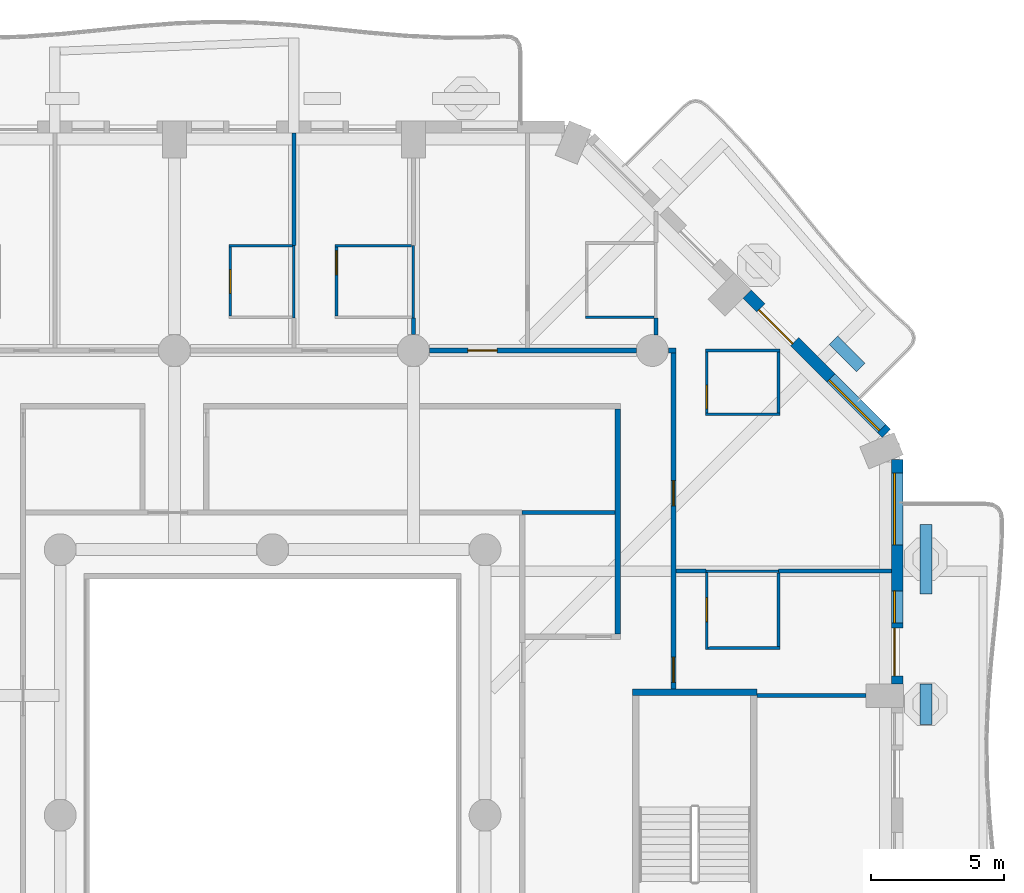
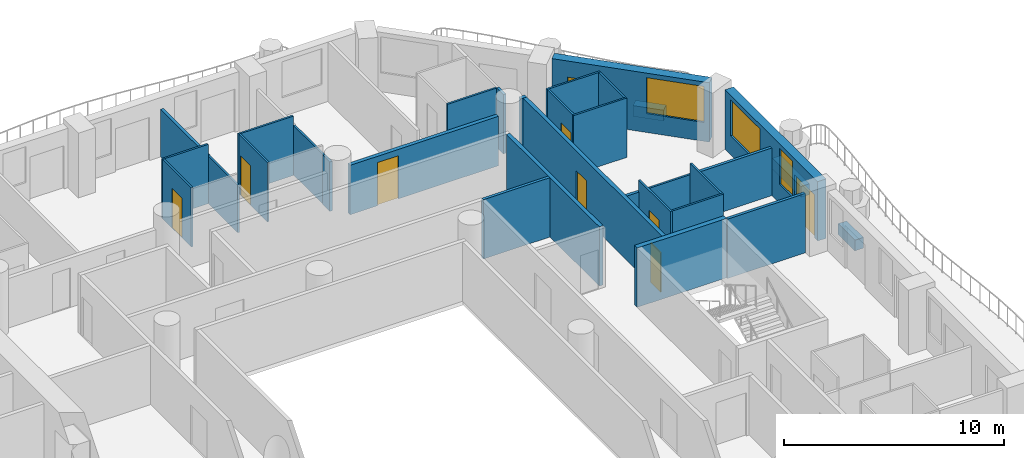
# One storey, part 9 of 20: 32 walls, 9 doors, 3 windows, 12 openings.
"""IFC4 building model written with IfcOpenShell, lengths in metres."""

from ifc_helpers import new_model, si_unit, direction, frame, frame_2d, origin, place, context, subcontext, project, spatial, rectangle, extrude, material, layer, layer_set, type_object, element, fill, save


model = new_model("IFC4")

# Units and contexts
model_context = context("Model", 3, precision=1e-05, world=origin(), true_north=direction((0.0, 1.0)))
body_context = subcontext(model_context, "Body", "Model", "MODEL_VIEW")
ifc_project = project(units=[si_unit("LENGTHUNIT", "METRE"), si_unit("AREAUNIT", "SQUARE_METRE"), si_unit("VOLUMEUNIT", "CUBIC_METRE"), si_unit("PLANEANGLEUNIT", "RADIAN"), si_unit("MASSUNIT", "GRAM", prefix="KILO")], contexts=[model_context])

# Site, building, storey
site_placement = place(None, origin())
site = spatial("IfcSite", under=ifc_project, at=site_placement, CompositionType="ELEMENT")
building_placement = place(site_placement, origin())
building = spatial("IfcBuilding", under=site, at=building_placement, Name="Cypress Arch Tower", CompositionType="ELEMENT")
storey_placement = place(building_placement, frame((0.0, 0.0, 62.699951171875)))
storey = spatial("IfcBuildingStorey", under=building, at=storey_placement, Name="L09", CompositionType="ELEMENT", Elevation=62.699951171875)

# Walls
ifc_material_1 = material(Name="Concrete C40/50, waterproofed", Category="concrete")
ifc_layer_1 = layer(ifc_material_1, 0.449951171875)
ifc_layer_set_1 = layer_set([ifc_layer_1], Name="Balcony planter wall PW450")
wall_type_1 = type_object("IfcWallType", Name="Balcony planter wall PW450", PredefinedType="SOLIDWALL", material=ifc_layer_set_1)
wall_1_placement = place(storey_placement, frame((25.60009765625, 3.42138671875, 0.0), z_axis=(0.0, 0.0, 1.0), x_axis=(0.0, 1.0, 0.0)))
element("IfcWall", 1, at=wall_1_placement, inside=storey, type_object=wall_type_1, Name="Balcony planter wall L09-A06.2", PredefinedType="SOLIDWALL", context=body_context, shape_type="SweptSolid", body=[
    extrude(rectangle(XDim=1.5224609375, YDim=0.449951171875, at=frame_2d((0.76123046875, 0.0))), origin(), (0.0, 0.0, 1.0), 0.60009765625),
])
wall_2_placement = place(storey_placement, frame((25.60009765625, 8.335693359375, 0.0), z_axis=(0.0, 0.0, 1.0), x_axis=(0.0, 1.0, 0.0)))
element("IfcWall", 2, at=wall_2_placement, inside=storey, type_object=wall_type_1, Name="Balcony planter wall L09-A06.3", PredefinedType="SOLIDWALL", context=body_context, shape_type="SweptSolid", body=[
    extrude(rectangle(XDim=2.6142578125, YDim=0.449951171875, at=frame_2d((1.30712890625, 0.0))), origin(), (0.0, 0.0, 1.0), 0.60009765625),
])
wall_3_placement = place(storey_placement, frame((23.150390625, 16.86376953125, 0.0), z_axis=(0.0, 0.0, 1.0), x_axis=(-0.707106781187, 0.707106781187, 0.0)))
element("IfcWall", 3, at=wall_3_placement, inside=storey, type_object=wall_type_1, Name="Balcony planter wall L09-A07.1", PredefinedType="SOLIDWALL", context=body_context, shape_type="SweptSolid", body=[
    extrude(rectangle(XDim=1.44482421875, YDim=0.449951171875, at=frame_2d((0.722412109375, 0.0))), origin(), (0.0, 0.0, 1.0), 0.60009765625),
])

# Wall, openings, door, windows
ifc_material_2 = material(Name="Brick (red buff blend)", Category="masonry")
ifc_layer_2 = layer(ifc_material_2, 0.449951171875)
ifc_layer_set_2 = layer_set([ifc_layer_2], Name="Brick pier and spandrel wall BW450")
wall_type_2 = type_object("IfcWallType", Name="Brick pier and spandrel wall BW450", PredefinedType="SOLIDWALL", material=ifc_layer_set_2)
wall_4_placement = place(storey_placement, frame((24.52490234375, 4.949951171875, 0.0), z_axis=(0.0, 0.0, 1.0), x_axis=(0.0, 1.0, 0.0)))
wall_4 = element("IfcWall", 4, at=wall_4_placement, inside=storey, type_object=wall_type_2, Name="Brick wall L09 A06.3", PredefinedType="SOLIDWALL", context=body_context, shape_type="SweptSolid", body=[
    extrude(rectangle(XDim=8.438720703125, YDim=0.449951171875, at=frame_2d((4.21923828125, 0.0))), origin(), (0.0, 0.0, 1.0), 3.300048828125),
])
opening_1_placement = place(wall_4_placement, frame((0.2939453125, 0.0, 0.0)))
opening_1 = element("IfcOpeningElement", 5, at=opening_1_placement, cuts=wall_4, Name="Opening D-L09-A06.3.1", PredefinedType="OPENING", context=body_context, shape_type="SweptSolid", body=[
    extrude(rectangle(XDim=1.800048828125, YDim=2.39990234375, at=frame_2d((0.89990234375, 1.199951171875))), frame((0.0, 0.23486328125, 0.0), z_axis=(0.0, -1.0, 0.0), x_axis=(1.0, 0.0, 0.0)), (0.0, 0.0, 1.0), 0.469970703125),
])
opening_2_placement = place(wall_4_placement, frame((2.2939453125, 0.0, 1.050048828125)))
opening_2 = element("IfcOpeningElement", 6, at=opening_2_placement, cuts=wall_4, Name="Opening W120HD", PredefinedType="OPENING", context=body_context, shape_type="SweptSolid", body=[
    extrude(rectangle(XDim=1.199951171875, YDim=2.0, at=frame_2d((0.60009765625, 1.0))), frame((0.0, 0.23486328125, 0.0), z_axis=(0.0, -1.0, 0.0), x_axis=(1.0, 0.0, 0.0)), (0.0, 0.0, 1.0), 0.469970703125),
])
opening_3_placement = place(wall_4_placement, frame((5.231689453125, 0.0, 1.050048828125)))
opening_3 = element("IfcOpeningElement", 7, at=opening_3_placement, cuts=wall_4, Name="Opening W270HD", PredefinedType="OPENING", context=body_context, shape_type="SweptSolid", body=[
    extrude(rectangle(XDim=2.699951171875, YDim=2.0, at=frame_2d((1.35009765625, 1.0))), frame((0.0, 0.23486328125, 0.0), z_axis=(0.0, -1.0, 0.0), x_axis=(1.0, 0.0, 0.0)), (0.0, 0.0, 1.0), 0.469970703125),
])
ifc_material_3 = material(Name="Anodised aluminium, bronze finish, laminated low-emissivity double glazing, large-missile impact rated", Category="aluminium")
door_type_1 = type_object("IfcDoorType", Name="Balcony sliding door 1800x2400", OperationType="SLIDING_TO_LEFT", PredefinedType="DOOR", material=ifc_material_3)
door_1_placement = place(opening_1_placement, origin())
door_1 = element("IfcDoor", 8, at=door_1_placement, inside=storey, type_object=door_type_1, Name="Balcony door L09 A06.3.1", OperationType="SLIDING_TO_LEFT", OverallHeight=2.39990234375, OverallWidth=1.800048828125, PredefinedType="DOOR", context=body_context, shape_type="SweptSolid", body=[
    extrude(rectangle(XDim=1.800048828125, YDim=2.39990234375, at=frame_2d((0.89990234375, 1.199951171875))), frame((0.0, 0.1298828125, 0.0), z_axis=(0.0, -1.0, 0.0), x_axis=(1.0, 0.0, 0.0)), (0.0, 0.0, 1.0), 0.050048828125),
])
fill(opening_1, door_1)
ifc_material_4 = material(Name="Anodised aluminium, bronze finish, laminated low-emissivity double glazing, large-missile impact rated", Category="aluminium")
window_type_1 = type_object("IfcWindowType", Name="Window Hotel 1200x2000 debris-rated", PartitioningType="SINGLE_PANEL", PredefinedType="WINDOW", material=ifc_material_4)
window_1_placement = place(opening_2_placement, origin())
window_1 = element("IfcWindow", 9, at=window_1_placement, inside=storey, type_object=window_type_1, Name="Window L09 A06.3.1", OverallHeight=2.0, OverallWidth=1.199951171875, PartitioningType="SINGLE_PANEL", PredefinedType="WINDOW", context=body_context, shape_type="SweptSolid", body=[
    extrude(rectangle(XDim=1.199951171875, YDim=2.0, at=frame_2d((0.60009765625, 1.0))), frame((0.0, 0.135009765625, 0.0), z_axis=(0.0, -1.0, 0.0), x_axis=(1.0, 0.0, 0.0)), (0.0, 0.0, 1.0), 0.06005859375),
])
fill(opening_2, window_1)
ifc_material_5 = material(Name="Anodised aluminium, bronze finish, laminated low-emissivity double glazing, large-missile impact rated", Category="aluminium")
window_type_2 = type_object("IfcWindowType", Name="Window Hotel 2700x2000 debris-rated", PartitioningType="SINGLE_PANEL", PredefinedType="WINDOW", material=ifc_material_5)
window_2_placement = place(opening_3_placement, origin())
window_2 = element("IfcWindow", 10, at=window_2_placement, inside=storey, type_object=window_type_2, Name="Window L09 A06.3.2", OverallHeight=2.0, OverallWidth=2.699951171875, PartitioningType="SINGLE_PANEL", PredefinedType="WINDOW", context=body_context, shape_type="SweptSolid", body=[
    extrude(rectangle(XDim=2.699951171875, YDim=2.0, at=frame_2d((1.35009765625, 1.0))), frame((0.0, 0.135009765625, 0.0), z_axis=(0.0, -1.0, 0.0), x_axis=(1.0, 0.0, 0.0)), (0.0, 0.0, 1.0), 0.06005859375),
])
fill(opening_3, window_2)

# Wall, openings, door, window
wall_5_placement = place(storey_placement, frame((24.11474609375, 14.379150390625, 0.0), z_axis=(0.0, 0.0, 1.0), x_axis=(-0.707106781187, 0.707106781187, 0.0)))
wall_5 = element("IfcWall", 11, at=wall_5_placement, inside=storey, type_object=wall_type_2, Name="Brick wall L09 A07.0", PredefinedType="SOLIDWALL", context=body_context, shape_type="SweptSolid", body=[
    extrude(rectangle(XDim=7.423828125, YDim=0.449951171875, at=frame_2d((3.7119140625, 0.0))), origin(), (0.0, 0.0, 1.0), 3.300048828125),
])
opening_4_placement = place(wall_5_placement, frame((0.253173828125, 0.0, 1.050048828125)))
opening_4 = element("IfcOpeningElement", 12, at=opening_4_placement, cuts=wall_5, Name="Opening W270HD", PredefinedType="OPENING", context=body_context, shape_type="SweptSolid", body=[
    extrude(rectangle(XDim=2.699951171875, YDim=2.0, at=frame_2d((1.35009765625, 1.0))), frame((0.0, 0.23486328125, 0.0), z_axis=(0.0, -1.0, 0.0), x_axis=(1.0, 0.0, 0.0)), (0.0, 0.0, 1.0), 0.469970703125),
])
opening_5_placement = place(wall_5_placement, frame((4.8837890625, 0.0, 0.0)))
opening_5 = element("IfcOpeningElement", 13, at=opening_5_placement, cuts=wall_5, Name="Opening D-L09-A07.0.2", PredefinedType="OPENING", context=body_context, shape_type="SweptSolid", body=[
    extrude(rectangle(XDim=1.800048828125, YDim=2.39990234375, at=frame_2d((0.89990234375, 1.199951171875))), frame((0.0, 0.23486328125, 0.0), z_axis=(0.0, -1.0, 0.0), x_axis=(1.0, 0.0, 0.0)), (0.0, 0.0, 1.0), 0.469970703125),
])
door_2_placement = place(opening_5_placement, origin())
door_2 = element("IfcDoor", 14, at=door_2_placement, inside=storey, type_object=door_type_1, Name="Balcony door L09 A07.0.2", OperationType="SLIDING_TO_LEFT", OverallHeight=2.39990234375, OverallWidth=1.800048828125, PredefinedType="DOOR", context=body_context, shape_type="SweptSolid", body=[
    extrude(rectangle(XDim=1.800048828125, YDim=2.39990234375, at=frame_2d((0.89990234375, 1.199951171875))), frame((0.0, 0.1298828125, 0.0), z_axis=(0.0, -1.0, 0.0), x_axis=(1.0, 0.0, 0.0)), (0.0, 0.0, 1.0), 0.050048828125),
])
fill(opening_5, door_2)
window_3_placement = place(opening_4_placement, origin())
window_3 = element("IfcWindow", 15, at=window_3_placement, inside=storey, type_object=window_type_2, Name="Window L09 A07.0.1", OverallHeight=2.0, OverallWidth=2.699951171875, PartitioningType="SINGLE_PANEL", PredefinedType="WINDOW", context=body_context, shape_type="SweptSolid", body=[
    extrude(rectangle(XDim=2.699951171875, YDim=2.0, at=frame_2d((1.35009765625, 1.0))), frame((0.0, 0.135009765625, 0.0), z_axis=(0.0, -1.0, 0.0), x_axis=(1.0, 0.0, 0.0)), (0.0, 0.0, 1.0), 0.06005859375),
])
fill(opening_4, window_3)

# Wall, opening, door
ifc_material_6 = material(Name="Concrete blockwork, plastered, rated", Category="masonry")
ifc_layer_3 = layer(ifc_material_6, 0.199951171875)
ifc_layer_set_3 = layer_set([ifc_layer_3], Name="Corridor wall FW200")
wall_type_3 = type_object("IfcWallType", Name="Corridor wall FW200", PredefinedType="PARTITIONING", material=ifc_layer_set_3)
wall_6_placement = place(storey_placement, frame((6.89990234375, 17.5, 0.0), z_axis=(0.0, 0.0, 1.0), x_axis=(1.0, 0.0, 0.0)))
wall_6 = element("IfcWall", 16, at=wall_6_placement, inside=storey, type_object=wall_type_3, Name="Corridor wall", PredefinedType="PARTITIONING", context=body_context, shape_type="SweptSolid", body=[
    extrude(rectangle(XDim=7.800048828125, YDim=0.199951171875, at=frame_2d((3.89990234375, 0.0))), origin(), (0.0, 0.0, 1.0), 2.75),
])
opening_6_placement = place(wall_6_placement, frame((1.449951171875, 0.0, 0.0)))
opening_6 = element("IfcOpeningElement", 17, at=opening_6_placement, cuts=wall_6, Name="Opening D01", PredefinedType="OPENING", context=body_context, shape_type="SweptSolid", body=[
    extrude(rectangle(XDim=1.10009765625, YDim=2.39990234375, at=frame_2d((0.550048828125, 1.199951171875))), frame((0.0, 0.10986328125, 0.0), z_axis=(0.0, -1.0, 0.0), x_axis=(1.0, 0.0, 0.0)), (0.0, 0.0, 1.0), 0.219970703125),
])
ifc_material_7 = material(Name="Timber flush door, fire resisting, self-closing", Category="wood")
door_type_2 = type_object("IfcDoorType", Name="Unit entrance door D01 1100x2400", OperationType="SINGLE_SWING_LEFT", PredefinedType="DOOR", material=ifc_material_7)
door_3_placement = place(opening_6_placement, origin())
door_3 = element("IfcDoor", 18, at=door_3_placement, inside=storey, type_object=door_type_2, Name="Unit entrance door", OperationType="SINGLE_SWING_RIGHT", OverallHeight=2.39990234375, OverallWidth=1.10009765625, PredefinedType="DOOR", context=body_context, shape_type="SweptSolid", body=[
    extrude(rectangle(XDim=1.10009765625, YDim=2.39990234375, at=frame_2d((0.550048828125, 1.199951171875))), frame((0.0, 0.02490234375, 0.0), z_axis=(0.0, -1.0, 0.0), x_axis=(1.0, 0.0, 0.0)), (0.0, 0.0, 1.0), 0.050048828125),
])
fill(opening_6, door_3)

# Walls
wall_7_placement = place(storey_placement, frame((15.89990234375, 17.5, 0.0), z_axis=(0.0, 0.0, 1.0), x_axis=(1.0, 0.0, 0.0)))
element("IfcWall", 19, at=wall_7_placement, inside=storey, type_object=wall_type_3, Name="Corridor wall", PredefinedType="PARTITIONING", context=body_context, shape_type="SweptSolid", body=[
    extrude(rectangle(XDim=0.300048828125, YDim=0.199951171875, at=frame_2d((0.14990234375, 0.0))), origin(), (0.0, 0.0, 1.0), 3.300048828125),
])
wall_8_placement = place(storey_placement, frame((14.0, 6.824951171875, 0.0), z_axis=(0.0, 0.0, 1.0), x_axis=(0.0, 1.0, 0.0)))
element("IfcWall", 20, at=wall_8_placement, inside=storey, type_object=wall_type_3, Name="Corridor wall", PredefinedType="PARTITIONING", context=body_context, shape_type="SweptSolid", body=[
    extrude(rectangle(XDim=8.47509765625, YDim=0.199951171875, at=frame_2d((4.237548828125, 0.0))), origin(), (0.0, 0.0, 1.0), 3.300048828125),
])

# Wall, openings, doors
wall_9_placement = place(storey_placement, frame((16.10009765625, 4.75, 0.0), z_axis=(0.0, 0.0, 1.0), x_axis=(0.0, 1.0, 0.0)))
wall_9 = element("IfcWall", 21, at=wall_9_placement, inside=storey, type_object=wall_type_3, Name="Corridor wall", PredefinedType="PARTITIONING", context=body_context, shape_type="SweptSolid", body=[
    extrude(rectangle(XDim=12.64990234375, YDim=0.199951171875, at=frame_2d((6.324951171875, 0.0))), origin(), (0.0, 0.0, 1.0), 3.300048828125),
])
opening_7_placement = place(wall_9_placement, frame((0.25, 0.0, 0.0)))
opening_7 = element("IfcOpeningElement", 22, at=opening_7_placement, cuts=wall_9, Name="Opening D02", PredefinedType="OPENING", context=body_context, shape_type="SweptSolid", body=[
    extrude(rectangle(XDim=0.949951171875, YDim=2.199951171875, at=frame_2d((0.47509765625, 1.10009765625))), frame((0.0, 0.10986328125, 0.0), z_axis=(0.0, -1.0, 0.0), x_axis=(1.0, 0.0, 0.0)), (0.0, 0.0, 1.0), 0.219970703125),
])
opening_8_placement = place(wall_9_placement, frame((6.89990234375, 0.0, 0.0)))
opening_8 = element("IfcOpeningElement", 23, at=opening_8_placement, cuts=wall_9, Name="Opening D02", PredefinedType="OPENING", context=body_context, shape_type="SweptSolid", body=[
    extrude(rectangle(XDim=0.949951171875, YDim=2.199951171875, at=frame_2d((0.47509765625, 1.10009765625))), frame((0.0, 0.10986328125, 0.0), z_axis=(0.0, -1.0, 0.0), x_axis=(1.0, 0.0, 0.0)), (0.0, 0.0, 1.0), 0.219970703125),
])
ifc_material_8 = material(Name="Timber flush door, fire resisting", Category="wood")
door_type_3 = type_object("IfcDoorType", Name="Room door D02 950x2200", OperationType="SINGLE_SWING_LEFT", PredefinedType="DOOR", material=ifc_material_8)
door_4_placement = place(opening_7_placement, origin())
door_4 = element("IfcDoor", 24, at=door_4_placement, inside=storey, type_object=door_type_3, Name="Room door", OperationType="SINGLE_SWING_RIGHT", OverallHeight=2.199951171875, OverallWidth=0.949951171875, PredefinedType="DOOR", context=body_context, shape_type="SweptSolid", body=[
    extrude(rectangle(XDim=0.949951171875, YDim=2.199951171875, at=frame_2d((0.47509765625, 1.10009765625))), frame((0.0, 0.02490234375, 0.0), z_axis=(0.0, -1.0, 0.0), x_axis=(1.0, 0.0, 0.0)), (0.0, 0.0, 1.0), 0.050048828125),
])
fill(opening_7, door_4)
door_5_placement = place(opening_8_placement, origin())
door_5 = element("IfcDoor", 25, at=door_5_placement, inside=storey, type_object=door_type_3, Name="Room door", OperationType="SINGLE_SWING_RIGHT", OverallHeight=2.199951171875, OverallWidth=0.949951171875, PredefinedType="DOOR", context=body_context, shape_type="SweptSolid", body=[
    extrude(rectangle(XDim=0.949951171875, YDim=2.199951171875, at=frame_2d((0.47509765625, 1.10009765625))), frame((0.0, 0.02490234375, 0.0), z_axis=(0.0, -1.0, 0.0), x_axis=(1.0, 0.0, 0.0)), (0.0, 0.0, 1.0), 0.050048828125),
])
fill(opening_8, door_5)

# Walls
ifc_material_9 = material(Name="Blockwork, plastered both sides", Category="masonry")
ifc_layer_4 = layer(ifc_material_9, 0.14990234375)
ifc_layer_set_4 = layer_set([ifc_layer_4], Name="Partition PW150")
wall_type_4 = type_object("IfcWallType", Name="Partition PW150", PredefinedType="PARTITIONING", material=ifc_layer_set_4)
wall_10_placement = place(storey_placement, frame((1.800048828125, 21.449951171875, 0.0), z_axis=(0.0, 0.0, 1.0), x_axis=(0.0, 1.0, 0.0)))
element("IfcWall", 26, at=wall_10_placement, inside=storey, type_object=wall_type_4, Name="Partition", PredefinedType="PARTITIONING", context=body_context, shape_type="SweptSolid", body=[
    extrude(rectangle(XDim=4.25, YDim=0.14990234375, at=frame_2d((2.125, 0.0))), origin(), (0.0, 0.0, 1.0), 2.650146484375),
])
wall_11_placement = place(storey_placement, frame((6.300048828125, 18.10009765625, 0.0), z_axis=(0.0, 0.0, 1.0), x_axis=(0.0, 1.0, 0.0)))
element("IfcWall", 27, at=wall_11_placement, inside=storey, type_object=wall_type_4, Name="Partition", PredefinedType="PARTITIONING", context=body_context, shape_type="SweptSolid", body=[
    extrude(rectangle(XDim=0.6298828125, YDim=0.14990234375, at=frame_2d((0.31494140625, 0.0))), origin(), (0.0, 0.0, 1.0), 2.75),
])
wall_12_placement = place(storey_placement, frame((10.39990234375, 11.39990234375, 0.0), z_axis=(0.0, 0.0, 1.0), x_axis=(1.0, 0.0, 0.0)))
element("IfcWall", 28, at=wall_12_placement, inside=storey, type_object=wall_type_4, Name="Partition", PredefinedType="PARTITIONING", context=body_context, shape_type="SweptSolid", body=[
    extrude(rectangle(XDim=3.5, YDim=0.14990234375, at=frame_2d((1.75, 0.0))), origin(), (0.0, 0.0, 1.0), 3.300048828125),
])
wall_13_placement = place(storey_placement, frame((15.431884765625, 18.093994140625, 0.0), z_axis=(0.0, 0.0, 1.0), x_axis=(0.0, 1.0, 0.0)))
element("IfcWall", 29, at=wall_13_placement, inside=storey, type_object=wall_type_4, Name="Partition", PredefinedType="PARTITIONING", context=body_context, shape_type="SweptSolid", body=[
    extrude(rectangle(XDim=0.635986328125, YDim=0.14990234375, at=frame_2d((0.31787109375, 0.0))), origin(), (0.0, 0.0, 1.0), 3.300048828125),
])
wall_14_placement = place(storey_placement, frame((16.199951171875, 9.18994140625, 0.0), z_axis=(0.0, 0.0, 1.0), x_axis=(1.0, 0.0, 0.0)))
element("IfcWall", 30, at=wall_14_placement, inside=storey, type_object=wall_type_4, Name="Partition", PredefinedType="PARTITIONING", context=body_context, shape_type="SweptSolid", body=[
    extrude(rectangle(XDim=1.130126953125, YDim=0.14990234375, at=frame_2d((0.56494140625, 0.0))), origin(), (0.0, 0.0, 1.0), 2.650146484375),
])
wall_15_placement = place(storey_placement, frame((19.25, 4.5, 0.0), z_axis=(0.0, 0.0, 1.0), x_axis=(1.0, 0.0, 0.0)))
element("IfcWall", 31, at=wall_15_placement, inside=storey, type_object=wall_type_4, Name="Partition", PredefinedType="PARTITIONING", context=body_context, shape_type="SweptSolid", body=[
    extrude(rectangle(XDim=4.10009765625, YDim=0.14990234375, at=frame_2d((2.050048828125, 0.0))), origin(), (0.0, 0.0, 1.0), 3.300048828125),
])
wall_16_placement = place(storey_placement, frame((20.050048828125, 9.18994140625, 0.0), z_axis=(0.0, 0.0, 1.0), x_axis=(1.0, 0.0, 0.0)))
element("IfcWall", 32, at=wall_16_placement, inside=storey, type_object=wall_type_4, Name="Partition", PredefinedType="PARTITIONING", context=body_context, shape_type="SweptSolid", body=[
    extrude(rectangle(XDim=4.25, YDim=0.14990234375, at=frame_2d((2.125, 0.0))), origin(), (0.0, 0.0, 1.0), 2.650146484375),
])
ifc_material_10 = material(Name="Concrete C50/60", Category="concrete")
ifc_layer_5 = layer(ifc_material_10, 0.25)
ifc_layer_set_5 = layer_set([ifc_layer_5], Name="Stair enclosure wall SW250")
wall_type_5 = type_object("IfcWallType", Name="Stair enclosure wall SW250", PredefinedType="SHEAR", material=ifc_layer_set_5)
wall_17_placement = place(storey_placement, frame((14.550048828125, 4.625, 0.0), z_axis=(0.0, 0.0, 1.0), x_axis=(1.0, 0.0, 0.0)))
element("IfcWall", 33, at=wall_17_placement, inside=storey, type_object=wall_type_5, Name="Stair enclosure wall", PredefinedType="SHEAR", context=body_context, shape_type="SweptSolid", body=[
    extrude(rectangle(XDim=4.699951171875, YDim=0.25, at=frame_2d((2.35009765625, 0.0))), origin(), (0.0, 0.0, 1.0), 3.300048828125),
])

# Wall, opening, door
ifc_material_11 = material(Name="Moisture resistant board on steel studs, tiled", Category="steel")
ifc_layer_6 = layer(ifc_material_11, 0.10009765625)
ifc_layer_set_6 = layer_set([ifc_layer_6], Name="Wet wall PW100")
wall_type_6 = type_object("IfcWallType", Name="Wet wall PW100", PredefinedType="PARTITIONING", material=ifc_layer_set_6)
wall_18_placement = place(storey_placement, frame((-0.595947265625, 18.800048828125, 0.0), z_axis=(0.0, 0.0, 1.0), x_axis=(0.0, 1.0, 0.0)))
wall_18 = element("IfcWall", 34, at=wall_18_placement, inside=storey, type_object=wall_type_6, Name="Wet wall", PredefinedType="PARTITIONING", context=body_context, shape_type="SweptSolid", body=[
    extrude(rectangle(XDim=2.599853515625, YDim=0.10009765625, at=frame_2d((1.2998046875, 0.0))), origin(), (0.0, 0.0, 1.0), 3.300048828125),
])
opening_9_placement = place(wall_18_placement, frame((0.85009765625, 0.0, 0.0)))
opening_9 = element("IfcOpeningElement", 35, at=opening_9_placement, cuts=wall_18, Name="Opening D03", PredefinedType="OPENING", context=body_context, shape_type="SweptSolid", body=[
    extrude(rectangle(XDim=0.89990234375, YDim=2.199951171875, at=frame_2d((0.449951171875, 1.10009765625))), frame((0.0, 0.06005859375, 0.0), z_axis=(0.0, -1.0, 0.0), x_axis=(1.0, 0.0, 0.0)), (0.0, 0.0, 1.0), 0.1201171875),
])
ifc_material_12 = material(Name="Timber flush door, moisture resistant", Category="wood")
door_type_4 = type_object("IfcDoorType", Name="Bathroom door D03 900x2200", OperationType="SINGLE_SWING_LEFT", PredefinedType="DOOR", material=ifc_material_12)
door_6_placement = place(opening_9_placement, origin())
door_6 = element("IfcDoor", 36, at=door_6_placement, inside=storey, type_object=door_type_4, Name="Bathroom door", OperationType="SINGLE_SWING_RIGHT", OverallHeight=2.199951171875, OverallWidth=0.89990234375, PredefinedType="DOOR", context=body_context, shape_type="SweptSolid", body=[
    extrude(rectangle(XDim=0.89990234375, YDim=2.199951171875, at=frame_2d((0.449951171875, 1.10009765625))), frame((0.0, 0.02490234375, 0.0), z_axis=(0.0, -1.0, 0.0), x_axis=(1.0, 0.0, 0.0)), (0.0, 0.0, 1.0), 0.050048828125),
])
fill(opening_9, door_6)

# Walls
wall_19_placement = place(storey_placement, frame((-0.64599609375, 21.449951171875, 0.0), z_axis=(0.0, 0.0, 1.0), x_axis=(1.0, 0.0, 0.0)))
element("IfcWall", 37, at=wall_19_placement, inside=storey, type_object=wall_type_6, Name="Wet wall", PredefinedType="PARTITIONING", context=body_context, shape_type="SweptSolid", body=[
    extrude(rectangle(XDim=2.39599609375, YDim=0.10009765625, at=frame_2d((1.197998046875, 0.0))), origin(), (0.0, 0.0, 1.0), 3.300048828125),
])
wall_20_placement = place(storey_placement, frame((1.800048828125, 18.72998046875, 0.0), z_axis=(0.0, 0.0, 1.0), x_axis=(0.0, 1.0, 0.0)))
element("IfcWall", 38, at=wall_20_placement, inside=storey, type_object=wall_type_6, Name="Wet wall", PredefinedType="PARTITIONING", context=body_context, shape_type="SweptSolid", body=[
    extrude(rectangle(XDim=2.719970703125, YDim=0.10009765625, at=frame_2d((1.35986328125, 0.0))), origin(), (0.0, 0.0, 1.0), 2.650146484375),
])

# Wall, opening, door
wall_21_placement = place(storey_placement, frame((3.404052734375, 18.800048828125, 0.0), z_axis=(0.0, 0.0, 1.0), x_axis=(0.0, 1.0, 0.0)))
wall_21 = element("IfcWall", 39, at=wall_21_placement, inside=storey, type_object=wall_type_6, Name="Wet wall", PredefinedType="PARTITIONING", context=body_context, shape_type="SweptSolid", body=[
    extrude(rectangle(XDim=2.599853515625, YDim=0.10009765625, at=frame_2d((1.2998046875, 0.0))), origin(), (0.0, 0.0, 1.0), 3.300048828125),
])
opening_10_placement = place(wall_21_placement, frame((1.550048828125, 0.0, 0.0)))
opening_10 = element("IfcOpeningElement", 40, at=opening_10_placement, cuts=wall_21, Name="Opening D03", PredefinedType="OPENING", context=body_context, shape_type="SweptSolid", body=[
    extrude(rectangle(XDim=0.89990234375, YDim=2.199951171875, at=frame_2d((0.449951171875, 1.10009765625))), frame((0.0, 0.06005859375, 0.0), z_axis=(0.0, -1.0, 0.0), x_axis=(1.0, 0.0, 0.0)), (0.0, 0.0, 1.0), 0.1201171875),
])
door_7_placement = place(opening_10_placement, origin())
door_7 = element("IfcDoor", 41, at=door_7_placement, inside=storey, type_object=door_type_4, Name="Bathroom door", OperationType="SINGLE_SWING_LEFT", OverallHeight=2.199951171875, OverallWidth=0.89990234375, PredefinedType="DOOR", context=body_context, shape_type="SweptSolid", body=[
    extrude(rectangle(XDim=0.89990234375, YDim=2.199951171875, at=frame_2d((0.449951171875, 1.10009765625))), frame((0.0, 0.02490234375, 0.0), z_axis=(0.0, -1.0, 0.0), x_axis=(1.0, 0.0, 0.0)), (0.0, 0.0, 1.0), 0.050048828125),
])
fill(opening_10, door_7)

# Walls
wall_22_placement = place(storey_placement, frame((3.35400390625, 21.449951171875, 0.0), z_axis=(0.0, 0.0, 1.0), x_axis=(1.0, 0.0, 0.0)))
element("IfcWall", 42, at=wall_22_placement, inside=storey, type_object=wall_type_6, Name="Wet wall", PredefinedType="PARTITIONING", context=body_context, shape_type="SweptSolid", body=[
    extrude(rectangle(XDim=2.87109375, YDim=0.10009765625, at=frame_2d((1.435546875, 0.0))), origin(), (0.0, 0.0, 1.0), 3.300048828125),
])
wall_23_placement = place(storey_placement, frame((6.300048828125, 18.72998046875, 0.0), z_axis=(0.0, 0.0, 1.0), x_axis=(0.0, 1.0, 0.0)))
element("IfcWall", 43, at=wall_23_placement, inside=storey, type_object=wall_type_6, Name="Wet wall", PredefinedType="PARTITIONING", context=body_context, shape_type="SweptSolid", body=[
    extrude(rectangle(XDim=2.719970703125, YDim=0.10009765625, at=frame_2d((1.35986328125, 0.0))), origin(), (0.0, 0.0, 1.0), 2.75),
])
wall_24_placement = place(storey_placement, frame((12.785888671875, 18.75, 0.0), z_axis=(0.0, 0.0, 1.0), x_axis=(1.0, 0.0, 0.0)))
element("IfcWall", 44, at=wall_24_placement, inside=storey, type_object=wall_type_6, Name="Wet wall", PredefinedType="PARTITIONING", context=body_context, shape_type="SweptSolid", body=[
    extrude(rectangle(XDim=2.571044921875, YDim=0.10009765625, at=frame_2d((1.28564453125, 0.0))), origin(), (0.0, 0.0, 1.0), 3.300048828125),
])
wall_25_placement = place(storey_placement, frame((17.330078125, 9.18994140625, 0.0), z_axis=(0.0, 0.0, 1.0), x_axis=(1.0, 0.0, 0.0)))
element("IfcWall", 45, at=wall_25_placement, inside=storey, type_object=wall_type_6, Name="Wet wall", PredefinedType="PARTITIONING", context=body_context, shape_type="SweptSolid", body=[
    extrude(rectangle(XDim=2.719970703125, YDim=0.10009765625, at=frame_2d((1.35986328125, 0.0))), origin(), (0.0, 0.0, 1.0), 2.650146484375),
])

# Wall, opening, door
wall_26_placement = place(storey_placement, frame((17.35009765625, 9.139892578125, 0.0), z_axis=(0.0, 0.0, 1.0), x_axis=(0.000337211244, -0.999999943144, 0.0)))
wall_26 = element("IfcWall", 46, at=wall_26_placement, inside=storey, type_object=wall_type_6, Name="Wet wall", PredefinedType="PARTITIONING", context=body_context, shape_type="SweptSolid", body=[
    extrude(rectangle(XDim=2.89599609375, YDim=0.10009765625, at=frame_2d((1.447998046875, 0.0))), origin(), (0.0, 0.0, 1.0), 3.300048828125),
])
opening_11_placement = place(wall_26_placement, frame((0.949951171875, 0.0, 0.0)))
opening_11 = element("IfcOpeningElement", 47, at=opening_11_placement, cuts=wall_26, Name="Opening D03", PredefinedType="OPENING", context=body_context, shape_type="SweptSolid", body=[
    extrude(rectangle(XDim=0.89990234375, YDim=2.199951171875, at=frame_2d((0.449951171875, 1.10009765625))), frame((0.0, 0.06005859375, 0.0), z_axis=(0.0, -1.0, 0.0), x_axis=(1.0, 0.0, 0.0)), (0.0, 0.0, 1.0), 0.1201171875),
])
door_8_placement = place(opening_11_placement, origin())
door_8 = element("IfcDoor", 48, at=door_8_placement, inside=storey, type_object=door_type_4, Name="Bathroom door", OperationType="SINGLE_SWING_RIGHT", OverallHeight=2.199951171875, OverallWidth=0.89990234375, PredefinedType="DOOR", context=body_context, shape_type="SweptSolid", body=[
    extrude(rectangle(XDim=0.89990234375, YDim=2.199951171875, at=frame_2d((0.449951171875, 1.10009765625))), frame((0.0, 0.02490234375, 0.0), z_axis=(0.0, -1.0, 0.0), x_axis=(1.0, 0.0, 0.0)), (0.0, 0.0, 1.0), 0.050048828125),
])
fill(opening_11, door_8)

wall_27_placement = place(storey_placement, frame((17.35009765625, 15.14990234375, 0.0), z_axis=(0.0, 0.0, 1.0), x_axis=(0.0, 1.0, 0.0)))
wall_27 = element("IfcWall", 49, at=wall_27_placement, inside=storey, type_object=wall_type_6, Name="Wet wall", PredefinedType="PARTITIONING", context=body_context, shape_type="SweptSolid", body=[
    extrude(rectangle(XDim=2.300048828125, YDim=0.10009765625, at=frame_2d((1.14990234375, 0.0))), origin(), (0.0, 0.0, 1.0), 3.300048828125),
])
opening_12_placement = place(wall_27_placement, frame((0.14990234375, 0.0, 0.0)))
opening_12 = element("IfcOpeningElement", 50, at=opening_12_placement, cuts=wall_27, Name="Opening D03", PredefinedType="OPENING", context=body_context, shape_type="SweptSolid", body=[
    extrude(rectangle(XDim=0.89990234375, YDim=2.199951171875, at=frame_2d((0.449951171875, 1.10009765625))), frame((0.0, 0.06005859375, 0.0), z_axis=(0.0, -1.0, 0.0), x_axis=(1.0, 0.0, 0.0)), (0.0, 0.0, 1.0), 0.1201171875),
])
door_9_placement = place(opening_12_placement, origin())
door_9 = element("IfcDoor", 51, at=door_9_placement, inside=storey, type_object=door_type_4, Name="Bathroom door", OperationType="SINGLE_SWING_RIGHT", OverallHeight=2.199951171875, OverallWidth=0.89990234375, PredefinedType="DOOR", context=body_context, shape_type="SweptSolid", body=[
    extrude(rectangle(XDim=0.89990234375, YDim=2.199951171875, at=frame_2d((0.449951171875, 1.10009765625))), frame((0.0, 0.02490234375, 0.0), z_axis=(0.0, -1.0, 0.0), x_axis=(1.0, 0.0, 0.0)), (0.0, 0.0, 1.0), 0.050048828125),
])
fill(opening_12, door_9)

# Walls
for number, where, z_axis, x_axis, name in (
    (52, (17.300048828125, 15.10009765625, 0.0), (0.0, 0.0, 1.0), (1.0, 0.0, 0.0), "Wet wall"),
    (53, (17.300048828125, 17.5, 0.0), (0.0, 0.0, 1.0), (1.0, 0.0, 0.0), "Wet wall"),
):
    element("IfcWall", number, at=place(storey_placement, frame(where, z_axis=z_axis, x_axis=x_axis)), inside=storey, type_object=wall_type_6, Name=name, PredefinedType="PARTITIONING", context=body_context, shape_type="SweptSolid", body=[
        extrude(rectangle(XDim=2.800048828125, YDim=0.10009765625, at=frame_2d((1.39990234375, 0.0))), origin(), (0.0, 0.0, 1.0), 3.300048828125),
    ])
wall_28_placement = place(storey_placement, frame((17.40087890625, 6.2939453125, 0.0), z_axis=(0.0, 0.0, 1.0), x_axis=(0.9999999346, 0.000361663629, 0.0)))
element("IfcWall", 54, at=wall_28_placement, inside=storey, type_object=wall_type_6, Name="Wet wall", PredefinedType="PARTITIONING", context=body_context, shape_type="SweptSolid", body=[
    extrude(rectangle(XDim=2.7001953125, YDim=0.10009765625, at=frame_2d((1.35009765625, 0.0))), origin(), (0.0, 0.0, 1.0), 3.300048828125),
])
wall_29_placement = place(storey_placement, frame((20.050048828125, 9.114990234375, 0.0), z_axis=(0.0, 0.0, 1.0), x_axis=(0.000352547131, -0.999999937855, 0.0)))
element("IfcWall", 55, at=wall_29_placement, inside=storey, type_object=wall_type_6, Name="Wet wall", PredefinedType="PARTITIONING", context=body_context, shape_type="SweptSolid", body=[
    extrude(rectangle(XDim=2.77001953125, YDim=0.10009765625, at=frame_2d((1.385009765625, 0.0))), origin(), (0.0, 0.0, 1.0), 3.300048828125),
])
wall_30_placement = place(storey_placement, frame((20.050048828125, 15.14990234375, 0.0), z_axis=(0.0, 0.0, 1.0), x_axis=(0.0, 1.0, 0.0)))
element("IfcWall", 56, at=wall_30_placement, inside=storey, type_object=wall_type_6, Name="Wet wall", PredefinedType="PARTITIONING", context=body_context, shape_type="SweptSolid", body=[
    extrude(rectangle(XDim=2.300048828125, YDim=0.10009765625, at=frame_2d((1.14990234375, 0.0))), origin(), (0.0, 0.0, 1.0), 3.300048828125),
])

save(model, "model.ifc")
